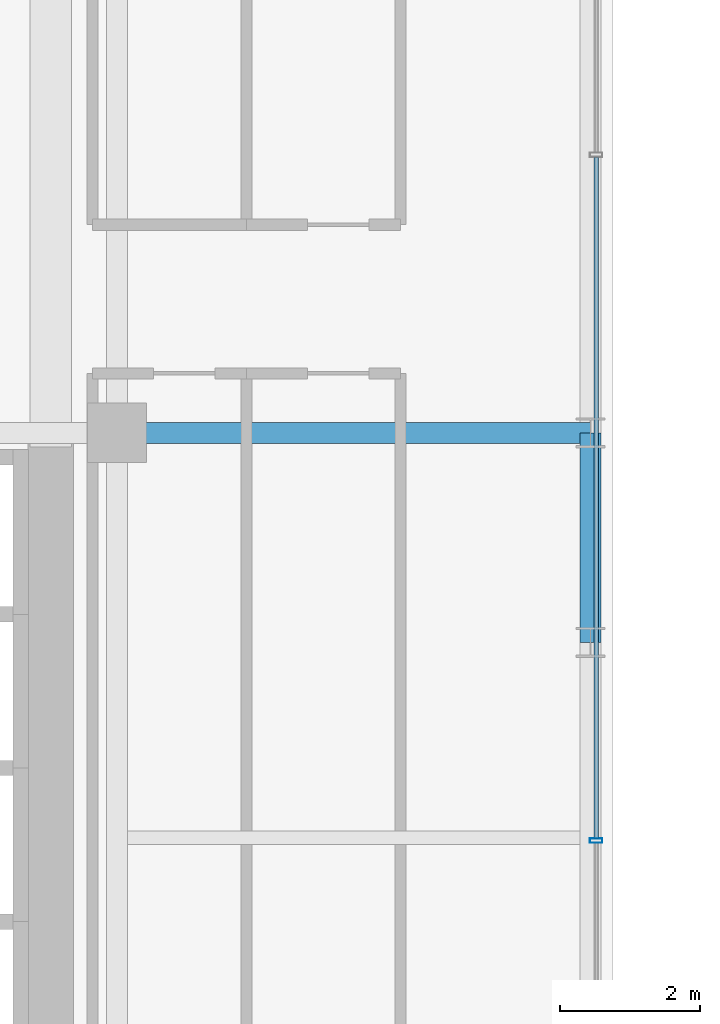
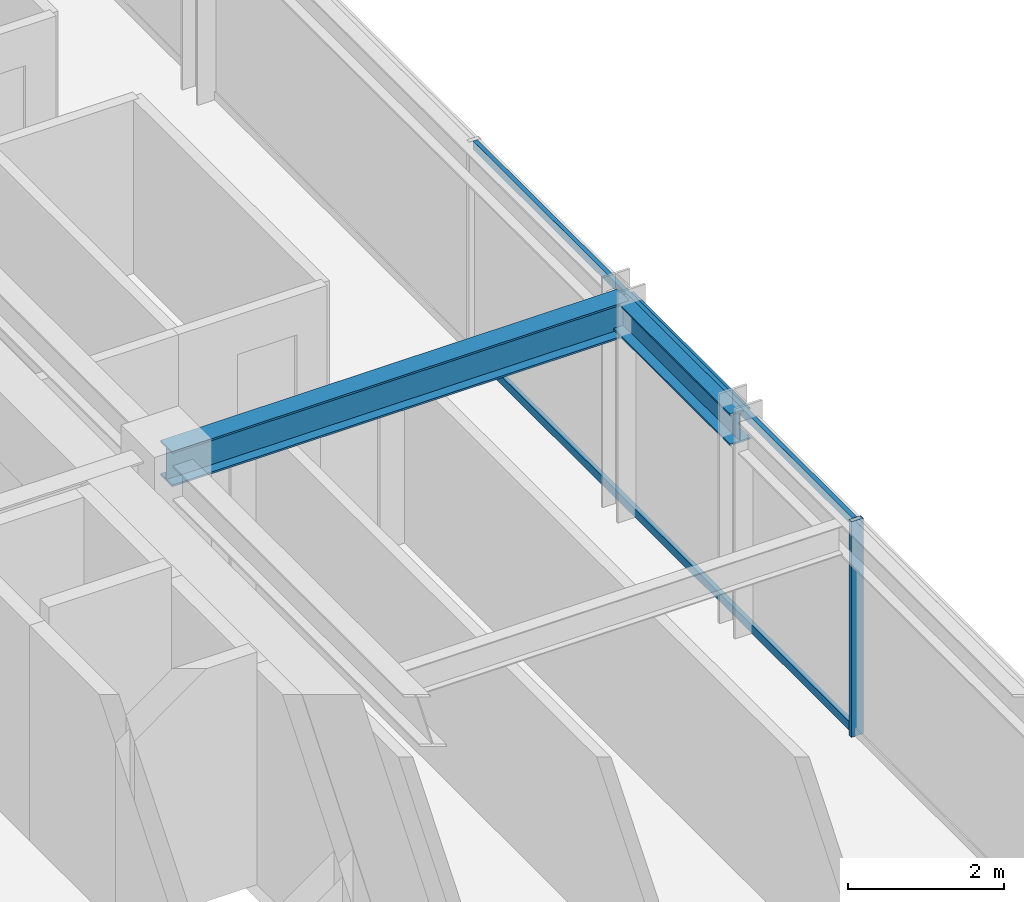
# One storey, part 14 of 33: 3 members, 2 beams, 1 element without a shape of its own.
"""IFC4 building model written with IfcOpenShell, lengths in metres."""

from ifc_helpers import new_model, si_unit, direction, frame, origin, origin_2d, place, context, subcontext, project, spatial, hollow_rectangle, i_section, extrude, source, transform, mapped, material, material_profile, profile_set, type_object, element, aggregate, save


model = new_model("IFC4")

# Units and contexts
model_context = context("Model", 3, precision=1e-05, world=origin(), true_north=direction((0.0, 1.0)))
body_context = subcontext(model_context, "Body", "Model", "MODEL_VIEW")
ifc_project = project(units=[si_unit("LENGTHUNIT", "METRE"), si_unit("AREAUNIT", "SQUARE_METRE"), si_unit("VOLUMEUNIT", "CUBIC_METRE"), si_unit("PLANEANGLEUNIT", "RADIAN"), si_unit("MASSUNIT", "GRAM", prefix="KILO")], contexts=[model_context])

# Site, building, storey
site_placement = place(None, origin())
site = spatial("IfcSite", under=ifc_project, at=site_placement, CompositionType="ELEMENT")
building_placement = place(site_placement, origin())
building = spatial("IfcBuilding", under=site, at=building_placement, Name="Nahalor Promenade Grand Hotel", CompositionType="ELEMENT")
storey_placement = place(building_placement, frame((0.0, 0.0, 132.10009765625)))
storey = spatial("IfcBuildingStorey", under=building, at=storey_placement, Name="L33", CompositionType="ELEMENT", Elevation=132.10009765625)

# Beams
ifc_material_1 = material(Name="Steel S355JR", Category="steel")
ifc_material_profile_1 = material_profile(ifc_material_1, i_section(OverallWidth=0.3, OverallDepth=0.5, WebThickness=0.0145, FlangeThickness=0.028, at=origin_2d()), Name="HEB 500")
ifc_profile_set_1 = profile_set([ifc_material_profile_1], Name="Steel S355JR")
beam_type_1 = type_object("IfcBeamType", Name="Beam-Spandrel-HEB500", PredefinedType="SPANDREL", material=ifc_profile_set_1)
shared_shape_1 = source(origin(), body_context, "Body", "SweptSolid", [
    extrude(i_section(OverallWidth=0.3, OverallDepth=0.5, WebThickness=0.0145, FlangeThickness=0.028, at=origin_2d()), origin(), (0.0, 0.0, 1.0), 3.0),
])
beam_1_placement = place(storey_placement, frame((23.780029296875, -8.39990234375, 3.1298828125), z_axis=(0.0, 1.0, 0.0), x_axis=(-1.0, 0.0, 0.0)))
element("IfcBeam", 1, at=beam_1_placement, inside=storey, type_object=beam_type_1, Name="BM-L33-SP-E-1", PredefinedType="SPANDREL", context=body_context, shape_type="MappedRepresentation", body=[
    mapped(shared_shape_1, transform((0.0, 0.0, 0.0), scale=1.0)),
])
ifc_material_profile_2 = material_profile(ifc_material_1, i_section(OverallWidth=0.3, OverallDepth=0.55, WebThickness=0.015, FlangeThickness=0.029, at=origin_2d()), Name="HEB 550")
ifc_profile_set_2 = profile_set([ifc_material_profile_2], Name="Steel S355JR")
beam_type_2 = type_object("IfcBeamType", Name="Beam-Girder-HEB550", PredefinedType="BEAM", material=ifc_profile_set_2)
shared_shape_2 = source(origin(), body_context, "Body", "SweptSolid", [
    extrude(i_section(OverallWidth=0.3, OverallDepth=0.55, WebThickness=0.015, FlangeThickness=0.029, at=origin_2d()), origin(), (0.0, 0.0, 1.0), 6.780029296875),
])
beam_2_placement = place(storey_placement, frame((17.0, -5.39990234375, 3.10498046875), z_axis=(1.0, 0.0, 0.0), x_axis=(0.0, 1.0, 0.0)))
element("IfcBeam", 2, at=beam_2_placement, inside=storey, type_object=beam_type_2, Name="BM-L33-GX-1-6", PredefinedType="BEAM", context=body_context, shape_type="MappedRepresentation", body=[
    mapped(shared_shape_2, transform((0.0, 0.0, 0.0), scale=1.0)),
])

# Curtain wall, members
ifc_material_2 = material(Name="Anodised Bronze Aluminium EN AW-6063 T6", Category="aluminium")
curtain_wall_type = type_object("IfcCurtainWallType", Name="CW2 Typical Hotel Flush Bronze Unitised Curtain Wall", PredefinedType="USERDEFINED", material=ifc_material_2)
curtain_wall_placement = place(storey_placement, origin())
curtain_wall = element("IfcCurtainWall", 3, at=curtain_wall_placement, inside=storey, type_object=curtain_wall_type, Name="L33 Curtain Wall CW-L33-E-1", ObjectType="UNITISED_CURTAIN_WALL", PredefinedType="USERDEFINED")
ifc_material_profile_3 = material_profile(ifc_material_2, hollow_rectangle(XDim=0.065, YDim=0.18, WallThickness=0.004, at=origin_2d()), Name="CWM 65x180x4")
ifc_profile_set_3 = profile_set([ifc_material_profile_3], Name="Anodised Bronze Aluminium EN AW-6063 T6")
member_type_1 = type_object("IfcMemberType", Name="CWM2 Typical Bronze Mullion 65x180", PredefinedType="MULLION", material=ifc_profile_set_3)
shared_shape_3 = source(origin(), body_context, "Body", "SweptSolid", [
    extrude(hollow_rectangle(XDim=0.065, YDim=0.18, WallThickness=0.004, at=origin_2d()), origin(), (0.0, 0.0, 1.0), 3.3798828125),
])
member_1_placement = place(storey_placement, frame((23.860107421875, -11.239990234375, 0.0), z_axis=(0.0, 0.0, 1.0), x_axis=(0.0, 1.0, 0.0)))
member_1 = element("IfcMember", 4, at=member_1_placement, type_object=member_type_1, Name="CW-L33-E-1 Mullion 1", PredefinedType="MULLION", context=body_context, shape_type="MappedRepresentation", body=[
    mapped(shared_shape_3, transform((0.0, 0.0, 0.0), scale=1.0)),
])
ifc_material_profile_4 = material_profile(ifc_material_2, hollow_rectangle(XDim=0.065, YDim=0.13, WallThickness=0.004, at=origin_2d()), Name="CWT 65x130x4")
ifc_profile_set_4 = profile_set([ifc_material_profile_4], Name="Anodised Bronze Aluminium EN AW-6063 T6")
member_type_2 = type_object("IfcMemberType", Name="CWT2 Typical Bronze Transom 65x130", PredefinedType="USERDEFINED", material=ifc_profile_set_4)
shared_shape_4 = source(origin(), body_context, "Body", "SweptSolid", [
    extrude(hollow_rectangle(XDim=0.065, YDim=0.13, WallThickness=0.004, at=origin_2d()), origin(), (0.0, 0.0, 1.0), 9.755126953125),
])
member_2_placement = place(storey_placement, frame((23.860107421875, -11.20751953125, 0.06494140625), z_axis=(0.0, 1.0, 0.0), x_axis=(-1.0, 0.0, 0.0)))
member_2 = element("IfcMember", 5, at=member_2_placement, type_object=member_type_2, Name="CW-L33-E-1 Transom 1-0", ObjectType="TRANSOM", PredefinedType="USERDEFINED", context=body_context, shape_type="MappedRepresentation", body=[
    mapped(shared_shape_4, transform((0.0, 0.0, 0.0), scale=1.0)),
])
member_3_placement = place(storey_placement, frame((23.860107421875, -11.20751953125, 3.31494140625), z_axis=(0.0, 1.0, 0.0), x_axis=(-1.0, 0.0, 0.0)))
member_3 = element("IfcMember", 6, at=member_3_placement, type_object=member_type_2, Name="CW-L33-E-1 Transom 1-1", ObjectType="TRANSOM", PredefinedType="USERDEFINED", context=body_context, shape_type="MappedRepresentation", body=[
    mapped(shared_shape_4, transform((0.0, 0.0, 0.0), scale=1.0)),
])
aggregate(curtain_wall, [member_1, member_2, member_3])

save(model, "model.ifc")
